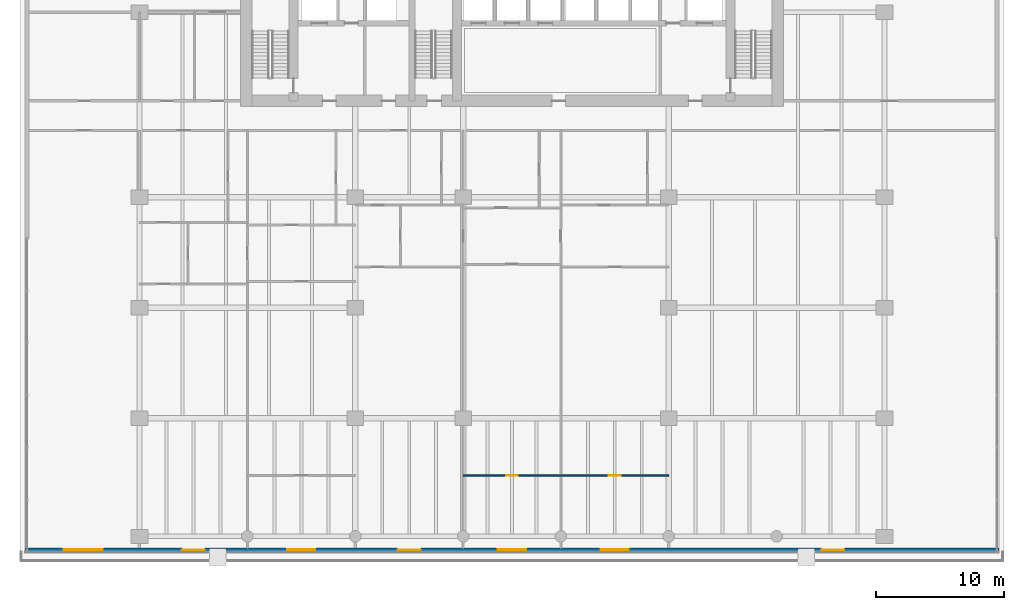
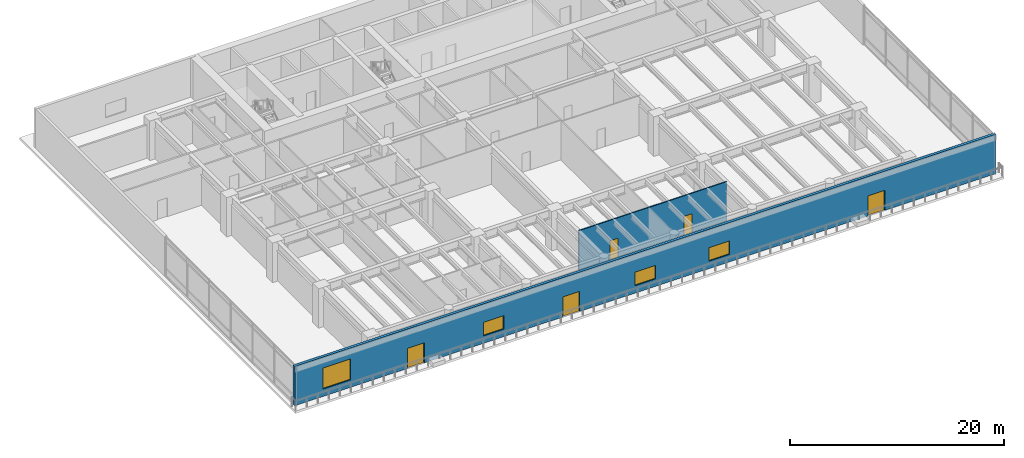
# One storey, part 7 of 14: 5 doors, 4 windows, 2 walls, 9 openings.
"""IFC4 building model written with IfcOpenShell, lengths in metres."""

from ifc_helpers import new_model, si_unit, direction, frame, frame_2d, origin, place, context, subcontext, project, spatial, rectangle, extrude, material, layer, layer_set, type_object, element, fill, save


model = new_model("IFC4")

# Units and contexts
model_context = context("Model", 3, precision=1e-05, world=origin(), true_north=direction((0.0, 1.0)))
body_context = subcontext(model_context, "Body", "Model", "MODEL_VIEW")
ifc_project = project(units=[si_unit("LENGTHUNIT", "METRE"), si_unit("AREAUNIT", "SQUARE_METRE"), si_unit("VOLUMEUNIT", "CUBIC_METRE"), si_unit("PLANEANGLEUNIT", "RADIAN"), si_unit("MASSUNIT", "GRAM", prefix="KILO")], contexts=[model_context])

# Site, building, storey
site_placement = place(None, origin())
site = spatial("IfcSite", under=ifc_project, at=site_placement, CompositionType="ELEMENT")
building_placement = place(site_placement, origin())
building = spatial("IfcBuilding", under=site, at=building_placement, Name="Caelmar Bay Residences", CompositionType="ELEMENT")
storey_placement = place(building_placement, frame((0.0, 0.0, 15.0)))
storey = spatial("IfcBuildingStorey", under=building, at=storey_placement, Name="L03", CompositionType="ELEMENT", Elevation=15.0)

# Wall, openings, doors, windows
ifc_material_1 = material(Name="Precast concrete f'c 40 MPa (6,000 psi)", Category="concrete")
ifc_layer_1 = layer(ifc_material_1, 0.300048828125)
ifc_layer_set_1 = layer_set([ifc_layer_1], Name="Precast concrete f'c 40 MPa (6,000 psi)")
wall_type_1 = type_object("IfcWallType", Name="W-EXT-300", PredefinedType="STANDARD", material=ifc_layer_set_1)
wall_1_placement = place(storey_placement, frame((76.800048828125, 1.949951171875, 0.0), z_axis=(0.0, 0.0, 1.0), x_axis=(-1.0, 0.0, 0.0)))
wall_1 = element("IfcWall", 1, at=wall_1_placement, inside=storey, type_object=wall_type_1, Name="L03 South Bayfront Exterior Wall", PredefinedType="STANDARD", context=body_context, shape_type="SweptSolid", body=[
    extrude(rectangle(XDim=75.800048828125, YDim=0.300048828125, at=frame_2d((37.89990234375, 0.0))), origin(), (0.0, 0.0, 1.0), 4.5),
])
opening_1_placement = place(wall_1_placement, frame((69.77490234375, 0.0, 0.85009765625)))
opening_1 = element("IfcOpeningElement", 2, at=opening_1_placement, cuts=wall_1, Name="Opening WN4", PredefinedType="OPENING", context=body_context, shape_type="SweptSolid", body=[
    extrude(rectangle(XDim=3.0, YDim=2.39990234375, at=frame_2d((1.5, 1.199951171875))), frame((0.0, 0.159912109375, 0.0), z_axis=(0.0, -1.0, 0.0), x_axis=(1.0, 0.0, 0.0)), (0.0, 0.0, 1.0), 0.320068359375),
])
opening_2_placement = place(wall_1_placement, frame((61.800048828125, 0.0, 0.0)))
opening_2 = element("IfcOpeningElement", 3, at=opening_2_placement, cuts=wall_1, Name="Opening L03-TD01", PredefinedType="OPENING", context=body_context, shape_type="SweptSolid", body=[
    extrude(rectangle(XDim=1.800048828125, YDim=2.300048828125, at=frame_2d((0.89990234375, 1.14990234375))), frame((0.0, 0.159912109375, 0.0), z_axis=(0.0, -1.0, 0.0), x_axis=(1.0, 0.0, 0.0)), (0.0, 0.0, 1.0), 0.320068359375),
])
opening_3_placement = place(wall_1_placement, frame((53.199951171875, 0.0, 0.85009765625)))
opening_3 = element("IfcOpeningElement", 4, at=opening_3_placement, cuts=wall_1, Name="Opening WN2", PredefinedType="OPENING", context=body_context, shape_type="SweptSolid", body=[
    extrude(rectangle(XDim=2.199951171875, YDim=1.550048828125, at=frame_2d((1.10009765625, 0.77490234375))), frame((0.0, 0.159912109375, 0.0), z_axis=(0.0, -1.0, 0.0), x_axis=(1.0, 0.0, 0.0)), (0.0, 0.0, 1.0), 0.320068359375),
])
opening_4_placement = place(wall_1_placement, frame((45.0, 0.0, 0.0)))
opening_4 = element("IfcOpeningElement", 5, at=opening_4_placement, cuts=wall_1, Name="Opening L03-TD02", PredefinedType="OPENING", context=body_context, shape_type="SweptSolid", body=[
    extrude(rectangle(XDim=1.800048828125, YDim=2.300048828125, at=frame_2d((0.89990234375, 1.14990234375))), frame((0.0, 0.159912109375, 0.0), z_axis=(0.0, -1.0, 0.0), x_axis=(1.0, 0.0, 0.0)), (0.0, 0.0, 1.0), 0.320068359375),
])
opening_5_placement = place(wall_1_placement, frame((36.800048828125, 0.0, 0.85009765625)))
opening_5 = element("IfcOpeningElement", 6, at=opening_5_placement, cuts=wall_1, Name="Opening WN2", PredefinedType="OPENING", context=body_context, shape_type="SweptSolid", body=[
    extrude(rectangle(XDim=2.199951171875, YDim=1.550048828125, at=frame_2d((1.10009765625, 0.77490234375))), frame((0.0, 0.159912109375, 0.0), z_axis=(0.0, -1.0, 0.0), x_axis=(1.0, 0.0, 0.0)), (0.0, 0.0, 1.0), 0.320068359375),
])
opening_6_placement = place(wall_1_placement, frame((28.800048828125, 0.0, 0.85009765625)))
opening_6 = element("IfcOpeningElement", 7, at=opening_6_placement, cuts=wall_1, Name="Opening WN2", PredefinedType="OPENING", context=body_context, shape_type="SweptSolid", body=[
    extrude(rectangle(XDim=2.199951171875, YDim=1.550048828125, at=frame_2d((1.10009765625, 0.77490234375))), frame((0.0, 0.159912109375, 0.0), z_axis=(0.0, -1.0, 0.0), x_axis=(1.0, 0.0, 0.0)), (0.0, 0.0, 1.0), 0.320068359375),
])
opening_7_placement = place(wall_1_placement, frame((12.02490234375, 0.0, 0.0)))
opening_7 = element("IfcOpeningElement", 8, at=opening_7_placement, cuts=wall_1, Name="Opening L03-TD03", PredefinedType="OPENING", context=body_context, shape_type="SweptSolid", body=[
    extrude(rectangle(XDim=1.800048828125, YDim=2.300048828125, at=frame_2d((0.89990234375, 1.14990234375))), frame((0.0, 0.159912109375, 0.0), z_axis=(0.0, -1.0, 0.0), x_axis=(1.0, 0.0, 0.0)), (0.0, 0.0, 1.0), 0.320068359375),
])
ifc_material_2 = material(Name="Anodised bronze sliding terrace door")
ifc_layer_2 = layer(ifc_material_2, 0.050048828125)
ifc_layer_set_2 = layer_set([ifc_layer_2], Name="Anodised bronze sliding terrace door")
door_type_1 = type_object("IfcDoorType", Name="D-TER-1800", OperationType="DOUBLE_DOOR_SLIDING", PredefinedType="DOOR", material=ifc_layer_set_2)
door_1_placement = place(opening_2_placement, origin())
door_1 = element("IfcDoor", 9, at=door_1_placement, inside=storey, type_object=door_type_1, Name="L03 Podium Terrace Door", OperationType="DOUBLE_DOOR_SLIDING", OverallHeight=2.300048828125, OverallWidth=1.800048828125, PredefinedType="DOOR", context=body_context, shape_type="SweptSolid", body=[
    extrude(rectangle(XDim=1.800048828125, YDim=2.300048828125, at=frame_2d((0.89990234375, 1.14990234375))), frame((0.0, 0.02490234375, 0.0), z_axis=(0.0, -1.0, 0.0), x_axis=(1.0, 0.0, 0.0)), (0.0, 0.0, 1.0), 0.050048828125),
])
fill(opening_2, door_1)
door_2_placement = place(opening_4_placement, origin())
door_2 = element("IfcDoor", 10, at=door_2_placement, inside=storey, type_object=door_type_1, Name="L03 Podium Terrace Door", OperationType="DOUBLE_DOOR_SLIDING", OverallHeight=2.300048828125, OverallWidth=1.800048828125, PredefinedType="DOOR", context=body_context, shape_type="SweptSolid", body=[
    extrude(rectangle(XDim=1.800048828125, YDim=2.300048828125, at=frame_2d((0.89990234375, 1.14990234375))), frame((0.0, 0.02490234375, 0.0), z_axis=(0.0, -1.0, 0.0), x_axis=(1.0, 0.0, 0.0)), (0.0, 0.0, 1.0), 0.050048828125),
])
fill(opening_4, door_2)
door_3_placement = place(opening_7_placement, origin())
door_3 = element("IfcDoor", 11, at=door_3_placement, inside=storey, type_object=door_type_1, Name="L03 Podium Terrace Door", OperationType="DOUBLE_DOOR_SLIDING", OverallHeight=2.300048828125, OverallWidth=1.800048828125, PredefinedType="DOOR", context=body_context, shape_type="SweptSolid", body=[
    extrude(rectangle(XDim=1.800048828125, YDim=2.300048828125, at=frame_2d((0.89990234375, 1.14990234375))), frame((0.0, 0.02490234375, 0.0), z_axis=(0.0, -1.0, 0.0), x_axis=(1.0, 0.0, 0.0)), (0.0, 0.0, 1.0), 0.050048828125),
])
fill(opening_7, door_3)
ifc_material_3 = material(Name="Bronze aluminium frame with laminated low-E glass", Category="aluminium")
ifc_layer_3 = layer(ifc_material_3, 0.06005859375)
ifc_layer_set_3 = layer_set([ifc_layer_3], Name="Bronze aluminium frame with laminated low-E glass")
window_type_1 = type_object("IfcWindowType", Name="WIN-BR-2200", PartitioningType="SINGLE_PANEL", PredefinedType="WINDOW", material=ifc_layer_set_3)
window_1_placement = place(opening_3_placement, origin())
window_1 = element("IfcWindow", 12, at=window_1_placement, inside=storey, type_object=window_type_1, Name="L03 Residence 3A Primary Bedroom 1 Window", OverallHeight=1.550048828125, OverallWidth=2.199951171875, PartitioningType="SINGLE_PANEL", PredefinedType="WINDOW", context=body_context, shape_type="SweptSolid", body=[
    extrude(rectangle(XDim=2.199951171875, YDim=1.550048828125, at=frame_2d((1.10009765625, 0.77490234375))), frame((0.0, 0.030029296875, 0.0), z_axis=(0.0, -1.0, 0.0), x_axis=(1.0, 0.0, 0.0)), (0.0, 0.0, 1.0), 0.06005859375),
])
fill(opening_3, window_1)
window_2_placement = place(opening_5_placement, origin())
window_2 = element("IfcWindow", 13, at=window_2_placement, inside=storey, type_object=window_type_1, Name="L03 Residence 3B Primary Bedroom 1 Window", OverallHeight=1.550048828125, OverallWidth=2.199951171875, PartitioningType="SINGLE_PANEL", PredefinedType="WINDOW", context=body_context, shape_type="SweptSolid", body=[
    extrude(rectangle(XDim=2.199951171875, YDim=1.550048828125, at=frame_2d((1.10009765625, 0.77490234375))), frame((0.0, 0.030029296875, 0.0), z_axis=(0.0, -1.0, 0.0), x_axis=(1.0, 0.0, 0.0)), (0.0, 0.0, 1.0), 0.06005859375),
])
fill(opening_5, window_2)
window_3_placement = place(opening_6_placement, origin())
window_3 = element("IfcWindow", 14, at=window_3_placement, inside=storey, type_object=window_type_1, Name="L03 Residence 3B Primary Bedroom 2 Window", OverallHeight=1.550048828125, OverallWidth=2.199951171875, PartitioningType="SINGLE_PANEL", PredefinedType="WINDOW", context=body_context, shape_type="SweptSolid", body=[
    extrude(rectangle(XDim=2.199951171875, YDim=1.550048828125, at=frame_2d((1.10009765625, 0.77490234375))), frame((0.0, 0.030029296875, 0.0), z_axis=(0.0, -1.0, 0.0), x_axis=(1.0, 0.0, 0.0)), (0.0, 0.0, 1.0), 0.06005859375),
])
fill(opening_6, window_3)
ifc_layer_4 = layer(ifc_material_3, 0.06005859375)
ifc_layer_set_4 = layer_set([ifc_layer_4], Name="Bronze aluminium frame with laminated low-E glass")
window_type_2 = type_object("IfcWindowType", Name="WIN-POD-3000", PartitioningType="SINGLE_PANEL", PredefinedType="WINDOW", material=ifc_layer_set_4)
window_4_placement = place(opening_1_placement, origin())
window_4 = element("IfcWindow", 15, at=window_4_placement, inside=storey, type_object=window_type_2, Name="L03 West Study Library L03 Window", OverallHeight=2.39990234375, OverallWidth=3.0, PartitioningType="SINGLE_PANEL", PredefinedType="WINDOW", context=body_context, shape_type="SweptSolid", body=[
    extrude(rectangle(XDim=3.0, YDim=2.39990234375, at=frame_2d((1.5, 1.199951171875))), frame((0.0, 0.030029296875, 0.0), z_axis=(0.0, -1.0, 0.0), x_axis=(1.0, 0.0, 0.0)), (0.0, 0.0, 1.0), 0.06005859375),
])
fill(opening_1, window_4)

# Wall, openings, doors
ifc_material_4 = material(Name="Acoustic metal-stud gypsum partition 120 mm")
ifc_layer_5 = layer(ifc_material_4, 0.1201171875)
ifc_layer_set_5 = layer_set([ifc_layer_5], Name="Acoustic metal-stud gypsum partition 120 mm")
wall_type_2 = type_object("IfcWallType", Name="W-PRT-120", PredefinedType="PARTITIONING", material=ifc_layer_set_5)
wall_2_placement = place(storey_placement, frame((35.10009765625, 7.75, 0.0), z_axis=(0.0, 0.0, 1.0), x_axis=(1.0, 0.0, 0.0)))
wall_2 = element("IfcWall", 16, at=wall_2_placement, inside=storey, type_object=wall_type_2, Name="L03 Partition Wall H034", PredefinedType="PARTITIONING", context=body_context, shape_type="SweptSolid", body=[
    extrude(rectangle(XDim=16.0, YDim=0.1201171875, at=frame_2d((8.0, 0.0))), origin(), (0.0, 0.0, 1.0), 4.5),
])
opening_8_placement = place(wall_2_placement, frame((3.35009765625, 0.0, 0.0)))
opening_8 = element("IfcOpeningElement", 17, at=opening_8_placement, cuts=wall_2, Name="Opening D-L03-141", PredefinedType="OPENING", context=body_context, shape_type="SweptSolid", body=[
    extrude(rectangle(XDim=0.89990234375, YDim=2.14990234375, at=frame_2d((0.449951171875, 1.074951171875))), frame((0.0, 0.070068359375, 0.0), z_axis=(0.0, -1.0, 0.0), x_axis=(1.0, 0.0, 0.0)), (0.0, 0.0, 1.0), 0.14013671875),
])
opening_9_placement = place(wall_2_placement, frame((11.35009765625, 0.0, 0.0)))
opening_9 = element("IfcOpeningElement", 18, at=opening_9_placement, cuts=wall_2, Name="Opening D-L03-146", PredefinedType="OPENING", context=body_context, shape_type="SweptSolid", body=[
    extrude(rectangle(XDim=0.89990234375, YDim=2.14990234375, at=frame_2d((0.449951171875, 1.074951171875))), frame((0.0, 0.070068359375, 0.0), z_axis=(0.0, -1.0, 0.0), x_axis=(1.0, 0.0, 0.0)), (0.0, 0.0, 1.0), 0.14013671875),
])
ifc_material_5 = material(Name="Solid walnut timber interior door leaf and frame", Category="wood")
ifc_layer_6 = layer(ifc_material_5, 0.050048828125)
ifc_layer_set_6 = layer_set([ifc_layer_6], Name="Solid walnut timber interior door leaf and frame")
door_type_2 = type_object("IfcDoorType", Name="D-ROOM-900", OperationType="NOTDEFINED", PredefinedType="DOOR", material=ifc_layer_set_6)
door_4_placement = place(opening_8_placement, origin())
door_4 = element("IfcDoor", 19, at=door_4_placement, inside=storey, type_object=door_type_2, Name="L03 Residence 3B Primary Bedroom 1 Door", OperationType="SINGLE_SWING_RIGHT", OverallHeight=2.14990234375, OverallWidth=0.89990234375, PredefinedType="DOOR", context=body_context, shape_type="SweptSolid", body=[
    extrude(rectangle(XDim=0.89990234375, YDim=2.14990234375, at=frame_2d((0.449951171875, 1.074951171875))), frame((0.0, 0.02490234375, 0.0), z_axis=(0.0, -1.0, 0.0), x_axis=(1.0, 0.0, 0.0)), (0.0, 0.0, 1.0), 0.050048828125),
])
fill(opening_8, door_4)
door_5_placement = place(opening_9_placement, origin())
door_5 = element("IfcDoor", 20, at=door_5_placement, inside=storey, type_object=door_type_2, Name="L03 Residence 3B Primary Bedroom 2 Door", OperationType="SINGLE_SWING_LEFT", OverallHeight=2.14990234375, OverallWidth=0.89990234375, PredefinedType="DOOR", context=body_context, shape_type="SweptSolid", body=[
    extrude(rectangle(XDim=0.89990234375, YDim=2.14990234375, at=frame_2d((0.449951171875, 1.074951171875))), frame((0.0, 0.02490234375, 0.0), z_axis=(0.0, -1.0, 0.0), x_axis=(1.0, 0.0, 0.0)), (0.0, 0.0, 1.0), 0.050048828125),
])
fill(opening_9, door_5)

save(model, "model.ifc")
